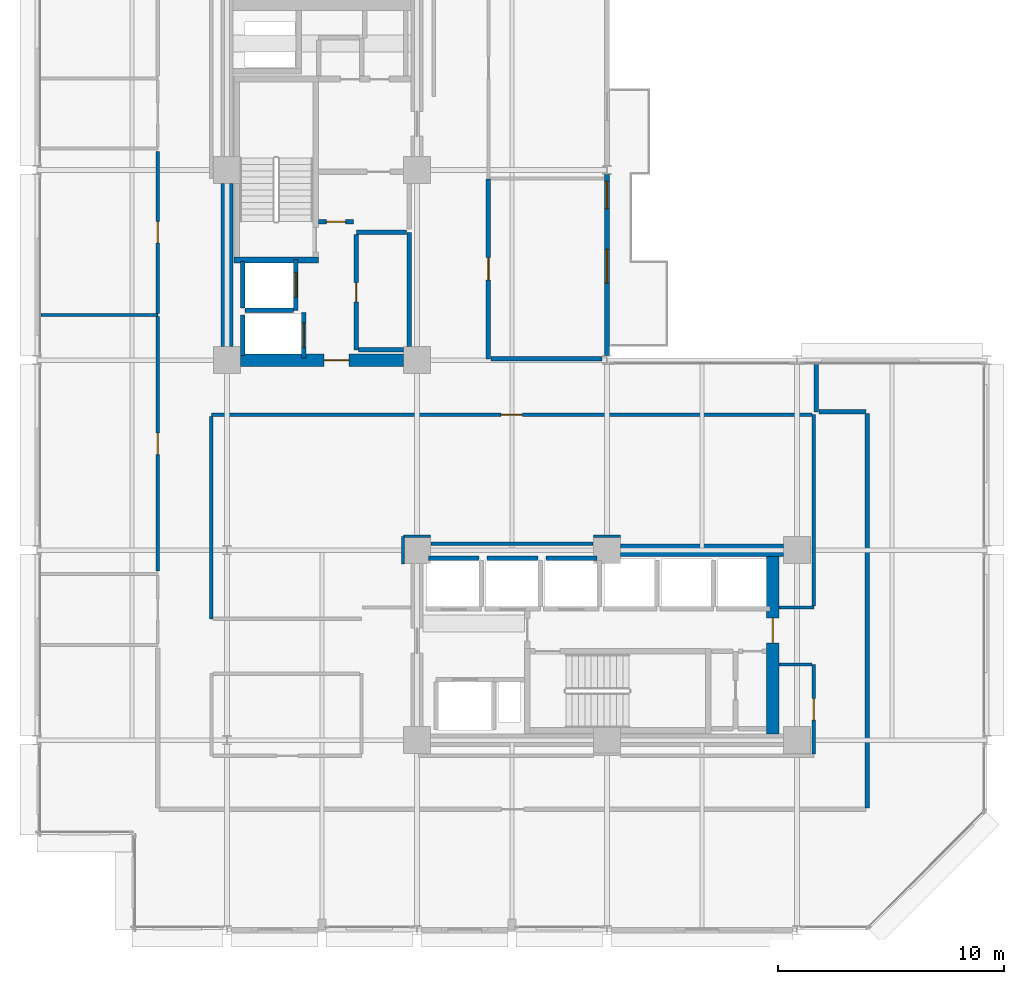
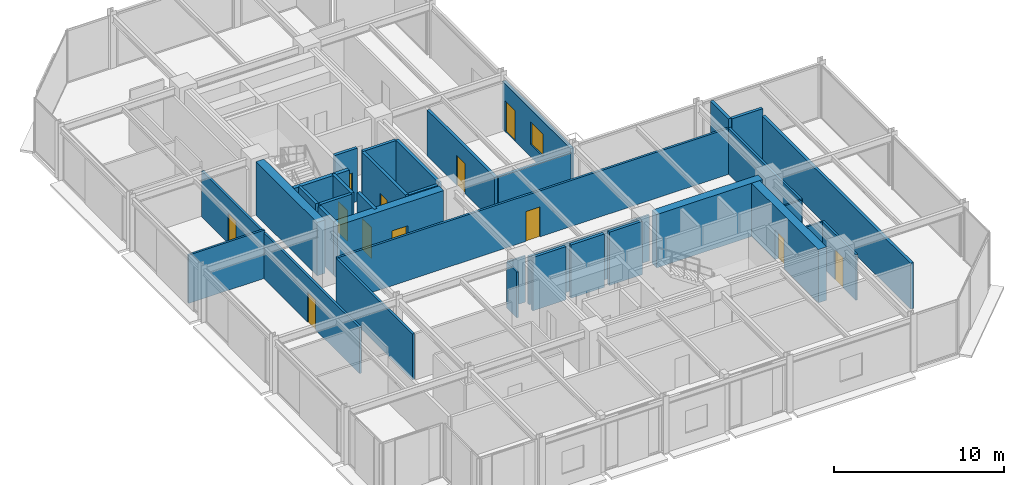
# One storey, part 25 of 30: 37 walls, 12 doors, 1 window, 13 openings.
"""IFC4 building model written with IfcOpenShell, lengths in metres."""

from ifc_helpers import new_model, si_unit, direction, frame, frame_2d, origin, place, context, subcontext, project, spatial, rectangle, extrude, material, layer, layer_set, type_object, element, fill, save


model = new_model("IFC4")

# Units and contexts
model_context = context("Model", 3, precision=1e-05, world=origin(), true_north=direction((0.0, 1.0)))
body_context = subcontext(model_context, "Body", "Model", "MODEL_VIEW")
ifc_project = project(units=[si_unit("LENGTHUNIT", "METRE"), si_unit("AREAUNIT", "SQUARE_METRE"), si_unit("VOLUMEUNIT", "CUBIC_METRE"), si_unit("PLANEANGLEUNIT", "RADIAN"), si_unit("MASSUNIT", "GRAM", prefix="KILO")], contexts=[model_context])

# Site, building, storey
site_placement = place(None, origin())
site = spatial("IfcSite", under=ifc_project, at=site_placement, CompositionType="ELEMENT")
building_placement = place(site_placement, origin())
building = spatial("IfcBuilding", under=site, at=building_placement, Name="Nerrivon Quay Data Exchange", CompositionType="ELEMENT")
storey_placement = place(building_placement, frame((0.0, 0.0, 129.5)))
storey = spatial("IfcBuildingStorey", under=building, at=storey_placement, Name="L30", CompositionType="ELEMENT", Elevation=129.5)

# Wall, openings, door, window
ifc_material_1 = material(Name="Architectural terracotta precast concrete N50 (50 MPa)", Category="masonry")
ifc_layer_1 = layer(ifc_material_1, 0.239990234375)
ifc_layer_set_1 = layer_set([ifc_layer_1], Name="Architectural terracotta precast concrete N50 (50 MPa)")
wall_type_1 = type_object("IfcWallType", Name="EW-PREC-240", PredefinedType="STANDARD", material=ifc_layer_set_1)
wall_1_placement = place(storey_placement, frame((25.199951171875, 33.39990234375, 0.0), z_axis=(0.0, 0.0, 1.0), x_axis=(0.0, -1.0, 0.0)))
wall_1 = element("IfcWall", 1, at=wall_1_placement, inside=storey, type_object=wall_type_1, Name="L30 Terrace Host Wall 25", PredefinedType="STANDARD", context=body_context, shape_type="SweptSolid", body=[
    extrude(rectangle(XDim=8.0, YDim=0.239990234375, at=frame_2d((4.0, 0.0))), origin(), (0.0, 0.0, 1.0), 3.422119140625),
])
opening_1_placement = place(wall_1_placement, frame((0.300048828125, 0.0, 0.0)))
opening_1 = element("IfcOpeningElement", 2, at=opening_1_placement, cuts=wall_1, Name="Opening TD1", PredefinedType="OPENING", context=body_context, shape_type="SweptSolid", body=[
    extrude(rectangle(XDim=1.199951171875, YDim=2.199951171875, at=frame_2d((0.60009765625, 1.10009765625))), frame((0.0, 0.1298828125, 0.0), z_axis=(0.0, -1.0, 0.0), x_axis=(1.0, 0.0, 0.0)), (0.0, 0.0, 1.0), 0.260009765625),
])
opening_2_placement = place(wall_1_placement, frame((3.299072265625, 0.0, 0.89990234375)))
opening_2 = element("IfcOpeningElement", 3, at=opening_2_placement, cuts=wall_1, Name="Opening WN4", PredefinedType="OPENING", context=body_context, shape_type="SweptSolid", body=[
    extrude(rectangle(XDim=1.5, YDim=1.60009765625, at=frame_2d((0.75, 0.800048828125))), frame((0.0, 0.1298828125, 0.0), z_axis=(0.0, -1.0, 0.0), x_axis=(1.0, 0.0, 0.0)), (0.0, 0.0, 1.0), 0.260009765625),
])
ifc_material_2 = material(Name="Double-glazed low-E solar control glass", Category="glass")
door_type_1 = type_object("IfcDoorType", Name="DR-TERR-1200x2200", OperationType="NOTDEFINED", PredefinedType="DOOR", material=ifc_material_2)
door_1_placement = place(opening_1_placement, origin())
door_1 = element("IfcDoor", 4, at=door_1_placement, inside=storey, type_object=door_type_1, Name="L30 Outdoor Terrace Access Door 25", OperationType="SINGLE_SWING_RIGHT", OverallHeight=2.199951171875, OverallWidth=1.199951171875, PredefinedType="DOOR", context=body_context, shape_type="SweptSolid", body=[
    extrude(rectangle(XDim=1.199951171875, YDim=2.199951171875, at=frame_2d((0.60009765625, 1.10009765625))), frame((0.0, 0.02490234375, 0.0), z_axis=(0.0, -1.0, 0.0), x_axis=(1.0, 0.0, 0.0)), (0.0, 0.0, 1.0), 0.050048828125),
])
fill(opening_1, door_1)
window_type = type_object("IfcWindowType", Name="WIN-W4-1500x1600", PartitioningType="SINGLE_PANEL", PredefinedType="WINDOW", material=ifc_material_2)
window_placement = place(opening_2_placement, origin())
window = element("IfcWindow", 5, at=window_placement, inside=storey, type_object=window_type, Name="L30 Terrace Side Window 25", OverallHeight=1.60009765625, OverallWidth=1.5, PartitioningType="SINGLE_PANEL", PredefinedType="WINDOW", context=body_context, shape_type="SweptSolid", body=[
    extrude(rectangle(XDim=1.5, YDim=1.60009765625, at=frame_2d((0.75, 0.800048828125))), frame((0.0, 0.030029296875, 0.0), z_axis=(0.0, -1.0, 0.0), x_axis=(1.0, 0.0, 0.0)), (0.0, 0.0, 1.0), 0.06005859375),
])
fill(opening_2, window)

# Wall
ifc_material_3 = material(Name="Concrete S65 (65 MPa)", Category="concrete")
ifc_layer_2 = layer(ifc_material_3, 0.550048828125)
ifc_layer_set_2 = layer_set([ifc_layer_2], Name="Concrete S65 (65 MPa)")
wall_type_2 = type_object("IfcWallType", Name="WALL-CW-700", PredefinedType="SHEAR", material=ifc_layer_set_2)
wall_2_placement = place(storey_placement, frame((8.39990234375, 25.800048828125, 0.0), z_axis=(0.0, 0.0, 1.0), x_axis=(0.0, 1.0, 0.0)))
element("IfcWall", 6, at=wall_2_placement, inside=storey, type_object=wall_type_2, Name="L30 West Split-Core Shear Wall WCW-W1", PredefinedType="SHEAR", context=body_context, shape_type="SweptSolid", body=[
    extrude(rectangle(XDim=7.199951171875, YDim=0.550048828125, at=frame_2d((3.60009765625, 0.0))), origin(), (0.0, 0.0, 1.0), 3.824951171875),
])

# Wall, opening, door
wall_3_placement = place(storey_placement, frame((9.0, 25.199951171875, 0.0), z_axis=(0.0, 0.0, 1.0), x_axis=(1.0, 0.0, 0.0)))
wall_3 = element("IfcWall", 7, at=wall_3_placement, inside=storey, type_object=wall_type_2, Name="L30 West Split-Core Shear Wall WCW-S1", PredefinedType="SHEAR", context=body_context, shape_type="SweptSolid", body=[
    extrude(rectangle(XDim=7.199951171875, YDim=0.550048828125, at=frame_2d((3.60009765625, 0.0))), origin(), (0.0, 0.0, 1.0), 3.824951171875),
])
opening_3_placement = place(wall_3_placement, frame((3.699951171875, 0.0, 0.0)))
opening_3 = element("IfcOpeningElement", 8, at=opening_3_placement, cuts=wall_3, Name="Opening FD-120", PredefinedType="OPENING", context=body_context, shape_type="SweptSolid", body=[
    extrude(rectangle(XDim=1.10009765625, YDim=2.14990234375, at=frame_2d((0.550048828125, 1.074951171875))), frame((0.0, 0.284912109375, 0.0), z_axis=(0.0, -1.0, 0.0), x_axis=(1.0, 0.0, 0.0)), (0.0, 0.0, 1.0), 0.570068359375),
])
ifc_material_4 = material(Name="Powder-coated galvanized steel sheet", Category="steel")
door_type_2 = type_object("IfcDoorType", Name="DR-FD120-1100", OperationType="NOTDEFINED", PredefinedType="DOOR", material=ifc_material_4)
door_2_placement = place(opening_3_placement, origin())
door_2 = element("IfcDoor", 9, at=door_2_placement, inside=storey, type_object=door_type_2, Name="L30 West Core Lobby Fire Door", OperationType="SINGLE_SWING_RIGHT", OverallHeight=2.14990234375, OverallWidth=1.10009765625, PredefinedType="DOOR", context=body_context, shape_type="SweptSolid", body=[
    extrude(rectangle(XDim=1.10009765625, YDim=2.14990234375, at=frame_2d((0.550048828125, 1.074951171875))), frame((0.0, 0.02490234375, 0.0), z_axis=(0.0, -1.0, 0.0), x_axis=(1.0, 0.0, 0.0)), (0.0, 0.0, 1.0), 0.050048828125),
])
fill(opening_3, door_2)

wall_4_placement = place(storey_placement, frame((32.52490234375, 8.675048828125, 0.0), z_axis=(0.0, 0.0, 1.0), x_axis=(0.0, 1.0, 0.0)))
wall_4 = element("IfcWall", 10, at=wall_4_placement, inside=storey, type_object=wall_type_2, Name="L30 East Split-Core Shear Wall ECW-E1", PredefinedType="SHEAR", context=body_context, shape_type="SweptSolid", body=[
    extrude(rectangle(XDim=7.849853515625, YDim=0.550048828125, at=frame_2d((3.9248046875, 0.0))), origin(), (0.0, 0.0, 1.0), 3.824951171875),
])
opening_4_placement = place(wall_4_placement, frame((4.02490234375, 0.0, 0.0)))
opening_4 = element("IfcOpeningElement", 11, at=opening_4_placement, cuts=wall_4, Name="Opening FD-120", PredefinedType="OPENING", context=body_context, shape_type="SweptSolid", body=[
    extrude(rectangle(XDim=1.10009765625, YDim=2.14990234375, at=frame_2d((0.550048828125, 1.074951171875))), frame((0.0, 0.284912109375, 0.0), z_axis=(0.0, -1.0, 0.0), x_axis=(1.0, 0.0, 0.0)), (0.0, 0.0, 1.0), 0.570068359375),
])
door_3_placement = place(opening_4_placement, origin())
door_3 = element("IfcDoor", 12, at=door_3_placement, inside=storey, type_object=door_type_2, Name="L30 East Core Lobby Fire Door", OperationType="SINGLE_SWING_LEFT", OverallHeight=2.14990234375, OverallWidth=1.10009765625, PredefinedType="DOOR", context=body_context, shape_type="SweptSolid", body=[
    extrude(rectangle(XDim=1.10009765625, YDim=2.14990234375, at=frame_2d((0.550048828125, 1.074951171875))), frame((0.0, 0.02490234375, 0.0), z_axis=(0.0, -1.0, 0.0), x_axis=(1.0, 0.0, 0.0)), (0.0, 0.0, 1.0), 0.050048828125),
])
fill(opening_4, door_3)

# Wall
wall_5_placement = place(storey_placement, frame((25.800048828125, 16.800048828125, 0.0), z_axis=(0.0, 0.0, 1.0), x_axis=(1.0, 0.0, 0.0)))
element("IfcWall", 13, at=wall_5_placement, inside=storey, type_object=wall_type_2, Name="L30 East Split-Core Shear Wall ECW-N1", PredefinedType="SHEAR", context=body_context, shape_type="SweptSolid", body=[
    extrude(rectangle(XDim=7.199951171875, YDim=0.550048828125, at=frame_2d((3.60009765625, 0.0))), origin(), (0.0, 0.0, 1.0), 3.824951171875),
])

# Wall, opening, door
ifc_material_5 = material(Name="Gypsum plasterboard on cold-formed framing", Category="gypsum")
ifc_layer_3 = layer(ifc_material_5, 0.199951171875)
ifc_layer_set_3 = layer_set([ifc_layer_3], Name="Gypsum plasterboard on cold-formed framing")
wall_type_3 = type_object("IfcWallType", Name="WALL-FW-200", PredefinedType="PARTITIONING", material=ifc_layer_set_3)
wall_6_placement = place(storey_placement, frame((11.449951171875, 27.39990234375, 0.0), z_axis=(0.0, 0.0, 1.0), x_axis=(0.0, 1.0, 0.0)))
wall_6 = element("IfcWall", 14, at=wall_6_placement, inside=storey, type_object=wall_type_3, Name="L30 Lift Front Wall FFL-1", PredefinedType="PARTITIONING", context=body_context, shape_type="SweptSolid", body=[
    extrude(rectangle(XDim=2.25, YDim=0.199951171875, at=frame_2d((1.125, 0.0))), origin(), (0.0, 0.0, 1.0), 3.824951171875),
])
opening_5_placement = place(wall_6_placement, frame((0.574951171875, 0.0, 0.0)))
opening_5 = element("IfcOpeningElement", 15, at=opening_5_placement, cuts=wall_6, Name="Opening LD-120", PredefinedType="OPENING", context=body_context, shape_type="SweptSolid", body=[
    extrude(rectangle(XDim=1.10009765625, YDim=2.199951171875, at=frame_2d((0.550048828125, 1.10009765625))), frame((0.0, 0.10986328125, 0.0), z_axis=(0.0, -1.0, 0.0), x_axis=(1.0, 0.0, 0.0)), (0.0, 0.0, 1.0), 0.219970703125),
])
door_type_3 = type_object("IfcDoorType", Name="DR-LIFT-LD120", OperationType="DOUBLE_DOOR_SLIDING", PredefinedType="DOOR", material=ifc_material_4)
door_4_placement = place(opening_5_placement, origin())
door_4 = element("IfcDoor", 16, at=door_4_placement, inside=storey, type_object=door_type_3, Name="L30 Lift Landing Sliding Door FFL-1", OperationType="DOUBLE_DOOR_SLIDING", OverallHeight=2.199951171875, OverallWidth=1.10009765625, PredefinedType="DOOR", context=body_context, shape_type="SweptSolid", body=[
    extrude(rectangle(XDim=1.10009765625, YDim=2.199951171875, at=frame_2d((0.550048828125, 1.10009765625))), frame((0.0, 0.02490234375, 0.0), z_axis=(0.0, -1.0, 0.0), x_axis=(1.0, 0.0, 0.0)), (0.0, 0.0, 1.0), 0.050048828125),
])
fill(opening_5, door_4)

# Walls
wall_7_placement = place(storey_placement, frame((9.10009765625, 27.5, 0.0), z_axis=(0.0, 0.0, 1.0), x_axis=(0.0, 1.0, 0.0)))
element("IfcWall", 17, at=wall_7_placement, inside=storey, type_object=wall_type_3, Name="L30 Lift Shaft Wall FFL-1 WEST", PredefinedType="PARTITIONING", context=body_context, shape_type="SweptSolid", body=[
    extrude(rectangle(XDim=2.050048828125, YDim=0.199951171875, at=frame_2d((1.02490234375, 0.0))), origin(), (0.0, 0.0, 1.0), 3.824951171875),
])
wall_8_placement = place(storey_placement, frame((9.199951171875, 27.39990234375, 0.0), z_axis=(0.0, 0.0, 1.0), x_axis=(1.0, 0.0, 0.0)))
element("IfcWall", 18, at=wall_8_placement, inside=storey, type_object=wall_type_3, Name="L30 Lift Shaft Wall FFL-1 SOUTH", PredefinedType="PARTITIONING", context=body_context, shape_type="SweptSolid", body=[
    extrude(rectangle(XDim=2.150146484375, YDim=0.199951171875, at=frame_2d((1.0751953125, 0.0))), origin(), (0.0, 0.0, 1.0), 3.824951171875),
])

# Wall, opening, door
wall_9_placement = place(storey_placement, frame((11.800048828125, 25.300048828125, 0.0), z_axis=(0.0, 0.0, 1.0), x_axis=(0.0, 1.0, 0.0)))
wall_9 = element("IfcWall", 19, at=wall_9_placement, inside=storey, type_object=wall_type_3, Name="L30 Lift Front Wall SVL-1", PredefinedType="PARTITIONING", context=body_context, shape_type="SweptSolid", body=[
    extrude(rectangle(XDim=2.0, YDim=0.199951171875, at=frame_2d((1.0, 0.0))), origin(), (0.0, 0.0, 1.0), 3.824951171875),
])
opening_6_placement = place(wall_9_placement, frame((0.449951171875, 0.0, 0.0)))
opening_6 = element("IfcOpeningElement", 20, at=opening_6_placement, cuts=wall_9, Name="Opening LD-120", PredefinedType="OPENING", context=body_context, shape_type="SweptSolid", body=[
    extrude(rectangle(XDim=1.10009765625, YDim=2.199951171875, at=frame_2d((0.550048828125, 1.10009765625))), frame((0.0, 0.10986328125, 0.0), z_axis=(0.0, -1.0, 0.0), x_axis=(1.0, 0.0, 0.0)), (0.0, 0.0, 1.0), 0.219970703125),
])
door_5_placement = place(opening_6_placement, origin())
door_5 = element("IfcDoor", 21, at=door_5_placement, inside=storey, type_object=door_type_3, Name="L30 Lift Landing Sliding Door SVL-1", OperationType="DOUBLE_DOOR_SLIDING", OverallHeight=2.199951171875, OverallWidth=1.10009765625, PredefinedType="DOOR", context=body_context, shape_type="SweptSolid", body=[
    extrude(rectangle(XDim=1.10009765625, YDim=2.199951171875, at=frame_2d((0.550048828125, 1.10009765625))), frame((0.0, 0.02490234375, 0.0), z_axis=(0.0, -1.0, 0.0), x_axis=(1.0, 0.0, 0.0)), (0.0, 0.0, 1.0), 0.050048828125),
])
fill(opening_6, door_5)

# Walls
wall_10_placement = place(storey_placement, frame((9.10009765625, 25.39990234375, 0.0), z_axis=(0.0, 0.0, 1.0), x_axis=(0.0, 1.0, 0.0)))
element("IfcWall", 22, at=wall_10_placement, inside=storey, type_object=wall_type_3, Name="L30 Lift Shaft Wall SVL-1 WEST", PredefinedType="PARTITIONING", context=body_context, shape_type="SweptSolid", body=[
    extrude(rectangle(XDim=1.800048828125, YDim=0.199951171875, at=frame_2d((0.89990234375, 0.0))), origin(), (0.0, 0.0, 1.0), 3.824951171875),
])
for number, where, z_axis, x_axis, name in (
    (23, (17.300048828125, 16.449951171875, 0.0), (0.0, 0.0, 1.0), (1.0, 0.0, 0.0), "L30 Lift Shaft Wall PL4 NORTH"),
    (24, (19.89990234375, 16.449951171875, 0.0), (0.0, 0.0, 1.0), (1.0, 0.0, 0.0), "L30 Lift Shaft Wall PL5 NORTH"),
    (25, (22.5, 16.449951171875, 0.0), (0.0, 0.0, 1.0), (1.0, 0.0, 0.0), "L30 Lift Shaft Wall PL6 NORTH"),
):
    element("IfcWall", number, at=place(storey_placement, frame(where, z_axis=z_axis, x_axis=x_axis)), inside=storey, type_object=wall_type_3, Name=name, PredefinedType="PARTITIONING", context=body_context, shape_type="SweptSolid", body=[
        extrude(rectangle(XDim=2.25, YDim=0.199951171875, at=frame_2d((1.125, 0.0))), origin(), (0.0, 0.0, 1.0), 3.824951171875),
    ])
wall_11_placement = place(storey_placement, frame((16.449951171875, 25.804931640625, 0.0), z_axis=(0.0, 0.0, 1.0), x_axis=(0.0, 1.0, 0.0)))
element("IfcWall", 26, at=wall_11_placement, inside=storey, type_object=wall_type_3, Name="L30 Partition Fibre Patch Store", PredefinedType="PARTITIONING", context=body_context, shape_type="SweptSolid", body=[
    extrude(rectangle(XDim=5.045166015625, YDim=0.199951171875, at=frame_2d((2.5224609375, 0.0))), origin(), (0.0, 0.0, 1.0), 3.824951171875),
])
wall_12_placement = place(storey_placement, frame((16.345947265625, 30.85009765625, 0.0), z_axis=(0.0, 0.0, 1.0), x_axis=(-1.0, 0.0, 0.0)))
element("IfcWall", 27, at=wall_12_placement, inside=storey, type_object=wall_type_3, Name="L30 Partition Fibre Patch Store", PredefinedType="PARTITIONING", context=body_context, shape_type="SweptSolid", body=[
    extrude(rectangle(XDim=2.225830078125, YDim=0.199951171875, at=frame_2d((1.11279296875, 0.0))), origin(), (0.0, 0.0, 1.0), 3.824951171875),
])

# Wall, opening, door
wall_13_placement = place(storey_placement, frame((14.1201171875, 30.74609375, 0.0), z_axis=(0.0, 0.0, 1.0), x_axis=(0.0, -1.0, 0.0)))
wall_13 = element("IfcWall", 28, at=wall_13_placement, inside=storey, type_object=wall_type_3, Name="L30 Partition Fibre Patch Store", PredefinedType="PARTITIONING", context=body_context, shape_type="SweptSolid", body=[
    extrude(rectangle(XDim=5.09619140625, YDim=0.199951171875, at=frame_2d((2.548095703125, 0.0))), origin(), (0.0, 0.0, 1.0), 3.824951171875),
])
opening_7_placement = place(wall_13_placement, frame((2.123046875, 0.0, 0.0)))
opening_7 = element("IfcOpeningElement", 29, at=opening_7_placement, cuts=wall_13, Name="Opening FD-60S", PredefinedType="OPENING", context=body_context, shape_type="SweptSolid", body=[
    extrude(rectangle(XDim=0.85009765625, YDim=2.14990234375, at=frame_2d((0.425048828125, 1.074951171875))), frame((0.0, 0.10986328125, 0.0), z_axis=(0.0, -1.0, 0.0), x_axis=(1.0, 0.0, 0.0)), (0.0, 0.0, 1.0), 0.219970703125),
])
ifc_material_6 = material(Name="Engineered hardwood timber", Category="wood")
door_type_4 = type_object("IfcDoorType", Name="DR-FD60-850", OperationType="NOTDEFINED", PredefinedType="DOOR", material=ifc_material_6)
door_6_placement = place(opening_7_placement, origin())
door_6 = element("IfcDoor", 30, at=door_6_placement, inside=storey, type_object=door_type_4, Name="L30 Door Fibre Patch Store", OperationType="SINGLE_SWING_LEFT", OverallHeight=2.14990234375, OverallWidth=0.85009765625, PredefinedType="DOOR", context=body_context, shape_type="SweptSolid", body=[
    extrude(rectangle(XDim=0.85009765625, YDim=2.14990234375, at=frame_2d((0.425048828125, 1.074951171875))), frame((0.0, 0.02490234375, 0.0), z_axis=(0.0, -1.0, 0.0), x_axis=(1.0, 0.0, 0.0)), (0.0, 0.0, 1.0), 0.050048828125),
])
fill(opening_7, door_6)

# Wall
wall_14_placement = place(storey_placement, frame((14.22412109375, 25.64990234375, 0.0), z_axis=(0.0, 0.0, 1.0), x_axis=(1.0, 0.0, 0.0)))
element("IfcWall", 31, at=wall_14_placement, inside=storey, type_object=wall_type_3, Name="L30 Partition Fibre Patch Store", PredefinedType="PARTITIONING", context=body_context, shape_type="SweptSolid", body=[
    extrude(rectangle(XDim=1.970947265625, YDim=0.199951171875, at=frame_2d((0.9853515625, 0.0))), origin(), (0.0, 0.0, 1.0), 3.824951171875),
])

# Wall, opening, door
wall_15_placement = place(storey_placement, frame((12.4541015625, 31.320068359375, 0.0), z_axis=(0.0, 0.0, 1.0), x_axis=(0.999999949061, -0.000319182876, 0.0)))
wall_15 = element("IfcWall", 32, at=wall_15_placement, inside=storey, type_object=wall_type_3, Name="L30 Partition Core Equipment Closet", PredefinedType="PARTITIONING", context=body_context, shape_type="SweptSolid", body=[
    extrude(rectangle(XDim=1.52978515625, YDim=0.199951171875, at=frame_2d((0.764892578125, 0.0))), origin(), (0.0, 0.0, 1.0), 3.824951171875),
])
opening_8_placement = place(wall_15_placement, frame((0.340087890625, 0.0, 0.0)))
opening_8 = element("IfcOpeningElement", 33, at=opening_8_placement, cuts=wall_15, Name="Opening FD-60S", PredefinedType="OPENING", context=body_context, shape_type="SweptSolid", body=[
    extrude(rectangle(XDim=0.85009765625, YDim=2.14990234375, at=frame_2d((0.425048828125, 1.074951171875))), frame((0.0, 0.10986328125, 0.0), z_axis=(0.0, -1.0, 0.0), x_axis=(1.0, 0.0, 0.0)), (0.0, 0.0, 1.0), 0.219970703125),
])
door_7_placement = place(opening_8_placement, origin())
door_7 = element("IfcDoor", 34, at=door_7_placement, inside=storey, type_object=door_type_4, Name="L30 Door Core Equipment Closet", OperationType="SINGLE_SWING_RIGHT", OverallHeight=2.14990234375, OverallWidth=0.85009765625, PredefinedType="DOOR", context=body_context, shape_type="SweptSolid", body=[
    extrude(rectangle(XDim=0.85009765625, YDim=2.14990234375, at=frame_2d((0.425048828125, 1.074951171875))), frame((0.0, 0.02490234375, 0.0), z_axis=(0.0, -1.0, 0.0), x_axis=(1.0, 0.0, 0.0)), (0.0, 0.0, 1.0), 0.050048828125),
])
fill(opening_8, door_7)

# Walls
wall_16_placement = place(storey_placement, frame((34.4599609375, 25.031005859375, 0.0), z_axis=(0.0, 0.0, 1.0), x_axis=(0.0, -1.0, 0.0)))
element("IfcWall", 35, at=wall_16_placement, inside=storey, type_object=wall_type_3, Name="L30 Partition Colocation Data Workspace 1", PredefinedType="PARTITIONING", context=body_context, shape_type="SweptSolid", body=[
    extrude(rectangle(XDim=2.12109375, YDim=0.199951171875, at=frame_2d((1.060546875, 0.0))), origin(), (0.0, 0.0, 1.0), 3.824951171875),
])
wall_17_placement = place(storey_placement, frame((34.56396484375, 22.909912109375, 0.0), z_axis=(0.0, 0.0, 1.0), x_axis=(1.0, 0.0, 0.0)))
element("IfcWall", 36, at=wall_17_placement, inside=storey, type_object=wall_type_3, Name="L30 Partition Colocation Data Workspace 1", PredefinedType="PARTITIONING", context=body_context, shape_type="SweptSolid", body=[
    extrude(rectangle(XDim=2.0859375, YDim=0.199951171875, at=frame_2d((1.04296875, 0.0))), origin(), (0.0, 0.0, 1.0), 3.824951171875),
])
wall_18_placement = place(storey_placement, frame((36.7099609375, 22.85009765625, 0.0), z_axis=(0.0, 0.0, 1.0), x_axis=(0.0, -1.0, 0.0)))
element("IfcWall", 37, at=wall_18_placement, inside=storey, type_object=wall_type_3, Name="L30 Partition Colocation Data Workspace 1", PredefinedType="PARTITIONING", context=body_context, shape_type="SweptSolid", body=[
    extrude(rectangle(XDim=17.4501953125, YDim=0.199951171875, at=frame_2d((8.72509765625, 0.0))), origin(), (0.0, 0.0, 1.0), 3.2919921875),
])

# Wall, opening, door
wall_19_placement = place(storey_placement, frame((19.9599609375, 33.2119140625, 0.0), z_axis=(0.0, 0.0, 1.0), x_axis=(0.0, -1.0, 0.0)))
wall_19 = element("IfcWall", 38, at=wall_19_placement, inside=storey, type_object=wall_type_3, Name="L30 Partition Colocation Data Workspace 1", PredefinedType="PARTITIONING", context=body_context, shape_type="SweptSolid", body=[
    extrude(rectangle(XDim=7.951904296875, YDim=0.199951171875, at=frame_2d((3.97607421875, 0.0))), origin(), (0.0, 0.0, 1.0), 3.2919921875),
])
opening_9_placement = place(wall_19_placement, frame((3.47607421875, 0.0, 0.0)))
opening_9 = element("IfcOpeningElement", 39, at=opening_9_placement, cuts=wall_19, Name="Opening FD-60", PredefinedType="OPENING", context=body_context, shape_type="SweptSolid", body=[
    extrude(rectangle(XDim=1.0, YDim=2.14990234375, at=frame_2d((0.5, 1.074951171875))), frame((0.0, 0.10986328125, 0.0), z_axis=(0.0, -1.0, 0.0), x_axis=(1.0, 0.0, 0.0)), (0.0, 0.0, 1.0), 0.219970703125),
])
door_type_5 = type_object("IfcDoorType", Name="DR-FD60-1000", OperationType="NOTDEFINED", PredefinedType="DOOR", material=ifc_material_6)
door_8_placement = place(opening_9_placement, origin())
door_8 = element("IfcDoor", 40, at=door_8_placement, inside=storey, type_object=door_type_5, Name="L30 Door Colocation Data Workspace 1", OperationType="SINGLE_SWING_RIGHT", OverallHeight=2.14990234375, OverallWidth=1.0, PredefinedType="DOOR", context=body_context, shape_type="SweptSolid", body=[
    extrude(rectangle(XDim=1.0, YDim=2.14990234375, at=frame_2d((0.5, 1.074951171875))), frame((0.0, 0.02490234375, 0.0), z_axis=(0.0, -1.0, 0.0), x_axis=(1.0, 0.0, 0.0)), (0.0, 0.0, 1.0), 0.050048828125),
])
fill(opening_9, door_8)

# Walls
wall_20_placement = place(storey_placement, frame((20.06396484375, 25.260009765625, 0.0), z_axis=(0.0, 0.0, 1.0), x_axis=(1.0, 0.0, 0.0)))
element("IfcWall", 41, at=wall_20_placement, inside=storey, type_object=wall_type_3, Name="L30 Partition Colocation Data Workspace 1", PredefinedType="PARTITIONING", context=body_context, shape_type="SweptSolid", body=[
    extrude(rectangle(XDim=4.916015625, YDim=0.199951171875, at=frame_2d((2.4580078125, 0.0))), origin(), (0.0, 0.0, 1.0), 3.2919921875),
])
ifc_layer_4 = layer(ifc_material_5, 0.1201171875)
ifc_layer_set_4 = layer_set([ifc_layer_4], Name="Gypsum plasterboard on cold-formed framing")
wall_type_4 = type_object("IfcWallType", Name="WALL-PT-120", PredefinedType="PARTITIONING", material=ifc_layer_set_4)
wall_21_placement = place(storey_placement, frame((34.2685546875, 11.739990234375, 0.0), z_axis=(0.0, 0.0, 1.0), x_axis=(-1.0, 0.0, 0.0)))
element("IfcWall", 42, at=wall_21_placement, inside=storey, type_object=wall_type_4, Name="L30 Partition Staff Pantry", PredefinedType="PARTITIONING", context=body_context, shape_type="SweptSolid", body=[
    extrude(rectangle(XDim=1.464599609375, YDim=0.1201171875, at=frame_2d((0.732421875, 0.0))), origin(), (0.0, 0.0, 1.0), 3.297119140625),
])
wall_22_placement = place(storey_placement, frame((16.180908203125, 16.194091796875, 0.0), z_axis=(0.0, 0.0, 1.0), x_axis=(-0.000809880277, 0.999999672047, 0.0)))
element("IfcWall", 43, at=wall_22_placement, inside=storey, type_object=wall_type_4, Name="L30 Partition Peering Huddle Meeting Room", PredefinedType="PARTITIONING", context=body_context, shape_type="SweptSolid", body=[
    extrude(rectangle(XDim=1.205810546875, YDim=0.1201171875, at=frame_2d((0.60302734375, 0.0))), origin(), (0.0, 0.0, 1.0), 3.2919921875),
])
for number, where, z_axis, x_axis, name in (
    (44, (16.199951171875, 17.419921875, 0.0), (0.0, 0.0, 1.0), (0.999999815526, -0.000607410295, 0.0), "L30 Partition Peering Huddle Meeting Room"),
    (45, (24.59423828125, 17.419189453125, 0.0), (0.0, 0.0, 1.0), (0.999999815526, 0.000607410295, 0.0), "L30 Partition Peering Huddle Meeting Room"),
):
    element("IfcWall", number, at=place(storey_placement, frame(where, z_axis=z_axis, x_axis=x_axis)), inside=storey, type_object=wall_type_4, Name=name, PredefinedType="PARTITIONING", context=body_context, shape_type="SweptSolid", body=[
        extrude(rectangle(XDim=1.205810546875, YDim=0.1201171875, at=frame_2d((0.60302734375, 0.0))), origin(), (0.0, 0.0, 1.0), 3.297119140625),
    ])
wall_23_placement = place(storey_placement, frame((32.803955078125, 14.260009765625, 0.0), z_axis=(0.0, 0.0, 1.0), x_axis=(1.0, 0.0, 0.0)))
element("IfcWall", 46, at=wall_23_placement, inside=storey, type_object=wall_type_4, Name="L30 Partition Peering Huddle Meeting Room", PredefinedType="PARTITIONING", context=body_context, shape_type="SweptSolid", body=[
    extrude(rectangle(XDim=1.5361328125, YDim=0.1201171875, at=frame_2d((0.76806640625, 0.0))), origin(), (0.0, 0.0, 1.0), 3.297119140625),
])

# Wall, opening, door
ifc_layer_5 = layer(ifc_material_5, 0.135009765625)
ifc_layer_set_5 = layer_set([ifc_layer_5], Name="Gypsum plasterboard on cold-formed framing")
wall_type_5 = type_object("IfcWallType", Name="WALL-PT-135", PredefinedType="PARTITIONING", material=ifc_layer_set_5)
wall_24_placement = place(storey_placement, frame((34.340087890625, 7.7890625, 0.0), z_axis=(0.0, 0.0, 1.0), x_axis=(0.0, 1.0, 0.0)))
wall_24 = element("IfcWall", 47, at=wall_24_placement, inside=storey, type_object=wall_type_5, Name="L30 Partition Staff Pantry", PredefinedType="PARTITIONING", context=body_context, shape_type="SweptSolid", body=[
    extrude(rectangle(XDim=3.950927734375, YDim=0.135009765625, at=frame_2d((1.9755859375, 0.0))), origin(), (0.0, 0.0, 1.0), 3.2919921875),
])
opening_10_placement = place(wall_24_placement, frame((1.50048828125, 0.0, 0.0)))
opening_10 = element("IfcOpeningElement", 48, at=opening_10_placement, cuts=wall_24, Name="Opening D-01", PredefinedType="OPENING", context=body_context, shape_type="SweptSolid", body=[
    extrude(rectangle(XDim=0.949951171875, YDim=2.14990234375, at=frame_2d((0.47509765625, 1.074951171875))), frame((0.0, 0.077392578125, 0.0), z_axis=(0.0, -1.0, 0.0), x_axis=(1.0, 0.0, 0.0)), (0.0, 0.0, 1.0), 0.155029296875),
])
door_type_6 = type_object("IfcDoorType", Name="DR-INT-950", OperationType="NOTDEFINED", PredefinedType="DOOR", material=ifc_material_6)
door_9_placement = place(opening_10_placement, origin())
door_9 = element("IfcDoor", 49, at=door_9_placement, inside=storey, type_object=door_type_6, Name="L30 Door Staff Pantry", OperationType="SINGLE_SWING_LEFT", OverallHeight=2.14990234375, OverallWidth=0.949951171875, PredefinedType="DOOR", context=body_context, shape_type="SweptSolid", body=[
    extrude(rectangle(XDim=0.949951171875, YDim=2.14990234375, at=frame_2d((0.47509765625, 1.074951171875))), frame((0.0, 0.02490234375, 0.0), z_axis=(0.0, -1.0, 0.0), x_axis=(1.0, 0.0, 0.0)), (0.0, 0.0, 1.0), 0.050048828125),
])
fill(opening_10, door_9)

# Wall
wall_25_placement = place(storey_placement, frame((0.1689453125, 27.191650390625, 0.0), z_axis=(0.0, 0.0, 1.0), x_axis=(1.0, 0.0, 0.0)))
element("IfcWall", 50, at=wall_25_placement, inside=storey, type_object=wall_type_5, Name="L30 Partition Engineers Lounge", PredefinedType="PARTITIONING", context=body_context, shape_type="SweptSolid", body=[
    extrude(rectangle(XDim=5.171142578125, YDim=0.135009765625, at=frame_2d((2.58544921875, 0.0))), origin(), (0.0, 0.0, 1.0), 3.468994140625),
])

# Wall, opening, door
ifc_layer_6 = layer(ifc_material_5, 0.14990234375)
ifc_layer_set_6 = layer_set([ifc_layer_6], Name="Gypsum plasterboard on cold-formed framing")
wall_type_6 = type_object("IfcWallType", Name="WALL-PT-150", PredefinedType="PARTITIONING", material=ifc_layer_set_6)
wall_26_placement = place(storey_placement, frame((5.340087890625, 27.26318359375, 0.0), z_axis=(0.0, 0.0, 1.0), x_axis=(0.0, 1.0, 0.0)))
wall_26 = element("IfcWall", 51, at=wall_26_placement, inside=storey, type_object=wall_type_6, Name="L30 Partition Engineers Lounge", PredefinedType="PARTITIONING", context=body_context, shape_type="SweptSolid", body=[
    extrude(rectangle(XDim=7.166748046875, YDim=0.14990234375, at=frame_2d((3.58349609375, 0.0))), origin(), (0.0, 0.0, 1.0), 3.2919921875),
])
opening_11_placement = place(wall_26_placement, frame((3.1083984375, 0.0, 0.0)))
opening_11 = element("IfcOpeningElement", 52, at=opening_11_placement, cuts=wall_26, Name="Opening D-01", PredefinedType="OPENING", context=body_context, shape_type="SweptSolid", body=[
    extrude(rectangle(XDim=0.949951171875, YDim=2.14990234375, at=frame_2d((0.47509765625, 1.074951171875))), frame((0.0, 0.0849609375, 0.0), z_axis=(0.0, -1.0, 0.0), x_axis=(1.0, 0.0, 0.0)), (0.0, 0.0, 1.0), 0.169921875),
])
door_10_placement = place(opening_11_placement, origin())
door_10 = element("IfcDoor", 53, at=door_10_placement, inside=storey, type_object=door_type_6, Name="L30 Door Engineers Lounge", OperationType="SINGLE_SWING_LEFT", OverallHeight=2.14990234375, OverallWidth=0.949951171875, PredefinedType="DOOR", context=body_context, shape_type="SweptSolid", body=[
    extrude(rectangle(XDim=0.949951171875, YDim=2.14990234375, at=frame_2d((0.47509765625, 1.074951171875))), frame((0.0, 0.02490234375, 0.0), z_axis=(0.0, -1.0, 0.0), x_axis=(1.0, 0.0, 0.0)), (0.0, 0.0, 1.0), 0.050048828125),
])
fill(opening_11, door_10)

wall_27_placement = place(storey_placement, frame((5.340087890625, 15.8701171875, 0.0), z_axis=(0.0, 0.0, 1.0), x_axis=(0.0, 1.0, 0.0)))
wall_27 = element("IfcWall", 54, at=wall_27_placement, inside=storey, type_object=wall_type_6, Name="L30 Partition Peering Day Lounge", PredefinedType="PARTITIONING", context=body_context, shape_type="SweptSolid", body=[
    extrude(rectangle(XDim=11.25, YDim=0.14990234375, at=frame_2d((5.625, 0.0))), origin(), (0.0, 0.0, 1.0), 3.2919921875),
])
opening_12_placement = place(wall_27_placement, frame((5.150146484375, 0.0, 0.0)))
opening_12 = element("IfcOpeningElement", 55, at=opening_12_placement, cuts=wall_27, Name="Opening D-01", PredefinedType="OPENING", context=body_context, shape_type="SweptSolid", body=[
    extrude(rectangle(XDim=0.949951171875, YDim=2.14990234375, at=frame_2d((0.47509765625, 1.074951171875))), frame((0.0, 0.0849609375, 0.0), z_axis=(0.0, -1.0, 0.0), x_axis=(1.0, 0.0, 0.0)), (0.0, 0.0, 1.0), 0.169921875),
])
door_11_placement = place(opening_12_placement, origin())
door_11 = element("IfcDoor", 56, at=door_11_placement, inside=storey, type_object=door_type_6, Name="L30 Door Peering Day Lounge", OperationType="SINGLE_SWING_RIGHT", OverallHeight=2.14990234375, OverallWidth=0.949951171875, PredefinedType="DOOR", context=body_context, shape_type="SweptSolid", body=[
    extrude(rectangle(XDim=0.949951171875, YDim=2.14990234375, at=frame_2d((0.47509765625, 1.074951171875))), frame((0.0, 0.02490234375, 0.0), z_axis=(0.0, -1.0, 0.0), x_axis=(1.0, 0.0, 0.0)), (0.0, 0.0, 1.0), 0.050048828125),
])
fill(opening_12, door_11)

# Walls
wall_28_placement = place(storey_placement, frame((17.419921875, 17.074951171875, 0.0), z_axis=(0.0, 0.0, 1.0), x_axis=(1.0, 0.0, 0.0)))
element("IfcWall", 57, at=wall_28_placement, inside=storey, type_object=wall_type_6, Name="L30 Partition Peering Huddle Meeting Room", PredefinedType="PARTITIONING", context=body_context, shape_type="SweptSolid", body=[
    extrude(rectangle(XDim=7.16015625, YDim=0.14990234375, at=frame_2d((3.580078125, 0.0))), origin(), (0.0, 0.0, 1.0), 3.468994140625),
])
wall_29_placement = place(storey_placement, frame((34.340087890625, 14.323974609375, 0.0), z_axis=(0.0, 0.0, 1.0), x_axis=(0.0, 1.0, 0.0)))
element("IfcWall", 58, at=wall_29_placement, inside=storey, type_object=wall_type_6, Name="L30 Partition Peering Huddle Meeting Room", PredefinedType="PARTITIONING", context=body_context, shape_type="SweptSolid", body=[
    extrude(rectangle(XDim=8.466064453125, YDim=0.14990234375, at=frame_2d((4.23291015625, 0.0))), origin(), (0.0, 0.0, 1.0), 3.2919921875),
])

# Wall, opening, door
wall_30_placement = place(storey_placement, frame((34.260986328125, 22.7900390625, 0.0), z_axis=(0.0, 0.0, 1.0), x_axis=(-1.0, 0.0, 0.0)))
wall_30 = element("IfcWall", 59, at=wall_30_placement, inside=storey, type_object=wall_type_6, Name="L30 Partition Peering Huddle Meeting Room", PredefinedType="PARTITIONING", context=body_context, shape_type="SweptSolid", body=[
    extrude(rectangle(XDim=26.551025390625, YDim=0.14990234375, at=frame_2d((13.275390625, 0.0))), origin(), (0.0, 0.0, 1.0), 3.297119140625),
])
opening_13_placement = place(wall_30_placement, frame((12.800537109375, 0.0, 0.0)))
opening_13 = element("IfcOpeningElement", 60, at=opening_13_placement, cuts=wall_30, Name="Opening D-01", PredefinedType="OPENING", context=body_context, shape_type="SweptSolid", body=[
    extrude(rectangle(XDim=0.949951171875, YDim=2.14990234375, at=frame_2d((0.47509765625, 1.074951171875))), frame((0.0, 0.0849609375, 0.0), z_axis=(0.0, -1.0, 0.0), x_axis=(1.0, 0.0, 0.0)), (0.0, 0.0, 1.0), 0.169921875),
])
door_12_placement = place(opening_13_placement, origin())
door_12 = element("IfcDoor", 61, at=door_12_placement, inside=storey, type_object=door_type_6, Name="L30 Door Peering Huddle Meeting Room", OperationType="SINGLE_SWING_LEFT", OverallHeight=2.14990234375, OverallWidth=0.949951171875, PredefinedType="DOOR", context=body_context, shape_type="SweptSolid", body=[
    extrude(rectangle(XDim=0.949951171875, YDim=2.14990234375, at=frame_2d((0.47509765625, 1.074951171875))), frame((0.0, 0.02490234375, 0.0), z_axis=(0.0, -1.0, 0.0), x_axis=(1.0, 0.0, 0.0)), (0.0, 0.0, 1.0), 0.050048828125),
])
fill(opening_13, door_12)

# Walls
wall_31_placement = place(storey_placement, frame((7.7099609375, 22.7109375, 0.0), z_axis=(0.0, 0.0, 1.0), x_axis=(0.0, -1.0, 0.0)))
element("IfcWall", 62, at=wall_31_placement, inside=storey, type_object=wall_type_6, Name="L30 Partition Peering Huddle Meeting Room", PredefinedType="PARTITIONING", context=body_context, shape_type="SweptSolid", body=[
    extrude(rectangle(XDim=8.950927734375, YDim=0.14990234375, at=frame_2d((4.4755859375, 0.0))), origin(), (0.0, 0.0, 1.0), 3.2919921875),
])
ifc_material_7 = material(Name="Concrete N50 (50 MPa)", Category="concrete")
ifc_layer_7 = layer(ifc_material_7, 0.25)
ifc_layer_set_7 = layer_set([ifc_layer_7], Name="Concrete N50 (50 MPa)")
wall_type_7 = type_object("IfcWallType", Name="WALL-SW-250", PredefinedType="SHEAR", material=ifc_layer_set_7)
wall_32_placement = place(storey_placement, frame((12.449951171875, 29.625, 0.0), z_axis=(0.0, 0.0, 1.0), x_axis=(-1.0, 0.0, 0.0)))
element("IfcWall", 63, at=wall_32_placement, inside=storey, type_object=wall_type_7, Name="L30 ST01 Structural Stair Core Wall NEAR", PredefinedType="SHEAR", context=body_context, shape_type="SweptSolid", body=[
    extrude(rectangle(XDim=3.75, YDim=0.25, at=frame_2d((1.875, 0.0))), origin(), (0.0, 0.0, 1.0), 3.824951171875),
])

save(model, "model.ifc")
